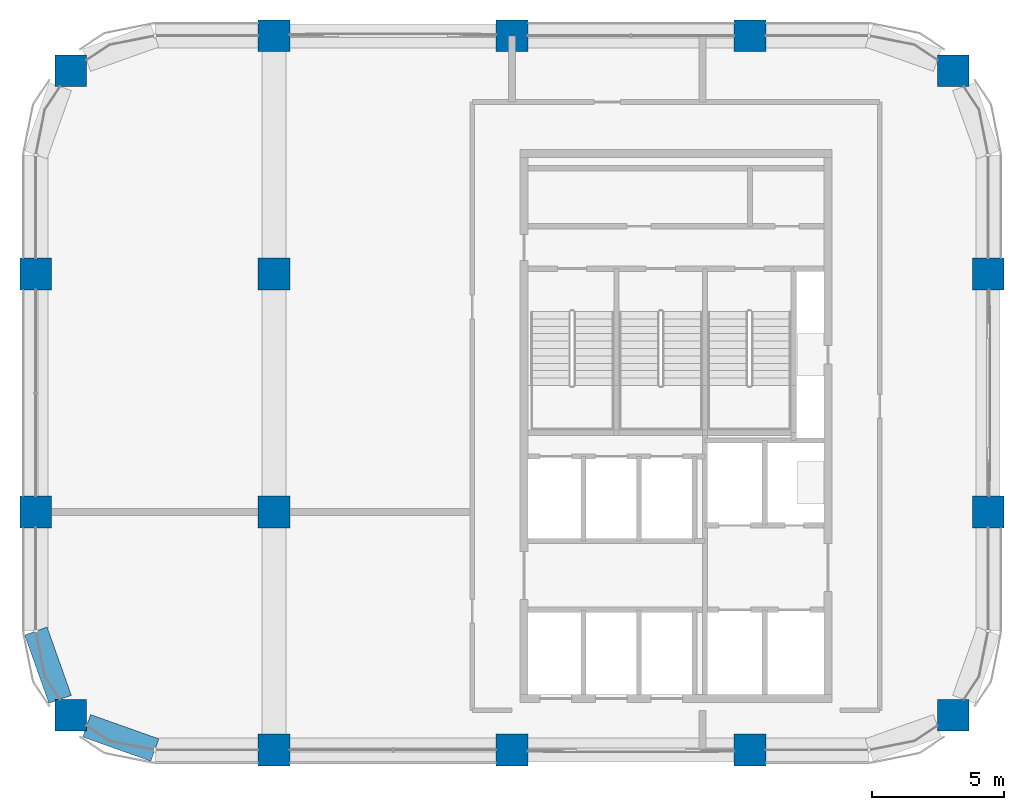
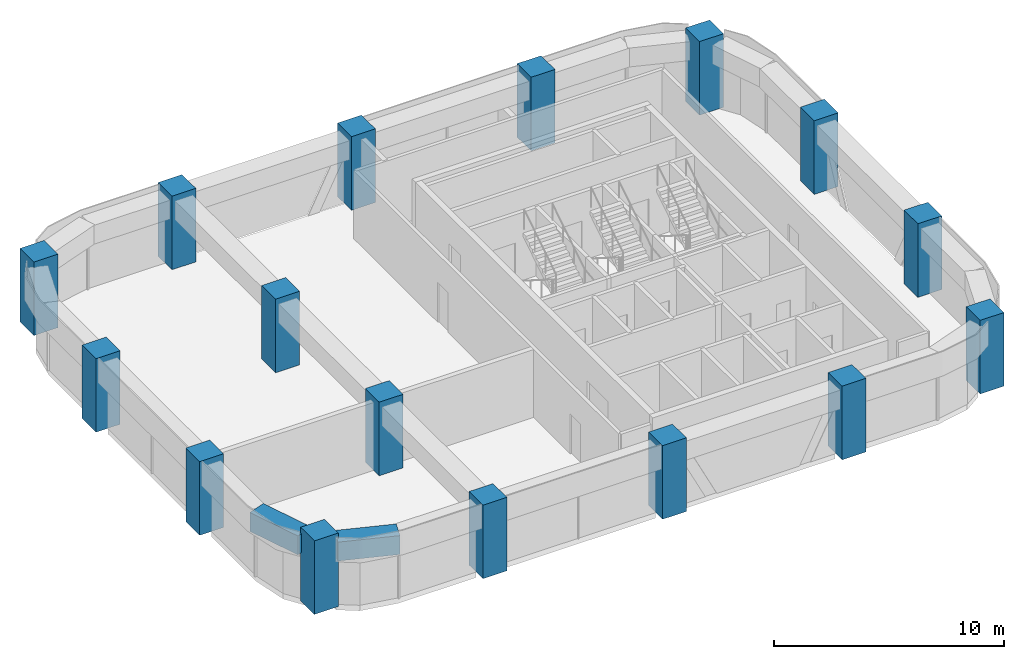
# One storey, part 1 of 9: 16 columns, 2 beams.
"""IFC4 building model written with IfcOpenShell, lengths in metres."""

from ifc_helpers import new_model, si_unit, direction, frame, origin, origin_2d, place, context, subcontext, project, spatial, rectangle, extrude, material, material_profile, profile_set, type_object, element, save


model = new_model("IFC4")

# Units and contexts
model_context = context("Model", 3, precision=1e-05, world=origin(), true_north=direction((0.0, 1.0)))
body_context = subcontext(model_context, "Body", "Model", "MODEL_VIEW")
ifc_project = project(units=[si_unit("LENGTHUNIT", "METRE"), si_unit("AREAUNIT", "SQUARE_METRE"), si_unit("VOLUMEUNIT", "CUBIC_METRE"), si_unit("PLANEANGLEUNIT", "RADIAN"), si_unit("MASSUNIT", "GRAM", prefix="KILO")], contexts=[model_context])

# Site, building, storey
site_placement = place(None, origin())
site = spatial("IfcSite", under=ifc_project, at=site_placement, CompositionType="ELEMENT")
building_placement = place(site_placement, origin())
building = spatial("IfcBuilding", under=site, at=building_placement, Name="Tessera Arch", CompositionType="ELEMENT")
storey_placement = place(building_placement, frame((0.0, 0.0, 312.89990234375)))
storey = spatial("IfcBuildingStorey", under=building, at=storey_placement, Name="L75", CompositionType="ELEMENT", Elevation=312.89990234375)

# Columns
ifc_material_1 = material(Name="Concrete C60/75", Category="concrete")
ifc_material_profile_1 = material_profile(ifc_material_1, rectangle(XDim=1.199951171875, YDim=1.199951171875, at=origin_2d()), Name="RC column 1200 x 1200 Concrete C60/75")
ifc_profile_set_1 = profile_set([ifc_material_profile_1], Name="Concrete C60/75")
column_type = type_object("IfcColumnType", Name="RC column 1200 x 1200 Concrete C60/75", PredefinedType="COLUMN", material=ifc_profile_set_1)
for number, where, z_axis, x_axis, name in (
    (1, (19.318115234375, 28.318115234375, 0.0), (0.0, 0.0, 1.0), (1.0, 0.0, 0.0), "Column C3D L75"),
    (2, (18.0, 36.0, 0.0), (0.0, 0.0, 1.0), (1.0, 0.0, 0.0), "Column C3E L75"),
    (3, (18.0, 45.0, 0.0), (0.0, 0.0, 1.0), (1.0, 0.0, 0.0), "Column C3F L75"),
    (4, (19.318115234375, 52.681884765625, 0.0), (0.0, 0.0, 1.0), (1.0, 0.0, 0.0), "Column C3G L75"),
    (5, (27.0, 27.0, 0.0), (0.0, 0.0, 1.0), (1.0, 0.0, 0.0), "Column C4D L75"),
    (6, (27.0, 36.0, 0.0), (0.0, 0.0, 1.0), (1.0, 0.0, 0.0), "Column C4E L75"),
    (7, (27.0, 45.0, 0.0), (0.0, 0.0, 1.0), (1.0, 0.0, 0.0), "Column C4F L75"),
    (8, (27.0, 54.0, 0.0), (0.0, 0.0, 1.0), (1.0, 0.0, 0.0), "Column C4G L75"),
    (9, (36.0, 27.0, 0.0), (0.0, 0.0, 1.0), (1.0, 0.0, 0.0), "Column C5D L75"),
    (10, (36.0, 54.0, 0.0), (0.0, 0.0, 1.0), (1.0, 0.0, 0.0), "Column C5G L75"),
    (11, (45.0, 27.0, 0.0), (0.0, 0.0, 1.0), (1.0, 0.0, 0.0), "Column C6D L75"),
    (12, (45.0, 54.0, 0.0), (0.0, 0.0, 1.0), (1.0, 0.0, 0.0), "Column C6G L75"),
    (13, (52.681884765625, 28.318115234375, 0.0), (0.0, 0.0, 1.0), (1.0, 0.0, 0.0), "Column C7D L75"),
    (14, (54.0, 36.0, 0.0), (0.0, 0.0, 1.0), (1.0, 0.0, 0.0), "Column C7E L75"),
    (15, (54.0, 45.0, 0.0), (0.0, 0.0, 1.0), (1.0, 0.0, 0.0), "Column C7F L75"),
    (16, (52.681884765625, 52.681884765625, 0.0), (0.0, 0.0, 1.0), (1.0, 0.0, 0.0), "Column C7G L75"),
):
    element("IfcColumn", number, at=place(storey_placement, frame(where, z_axis=z_axis, x_axis=x_axis)), inside=storey, type_object=column_type, Name=name, PredefinedType="COLUMN", context=body_context, shape_type="SweptSolid", body=[
        extrude(rectangle(XDim=1.199951171875, YDim=1.199951171875, at=origin_2d()), origin(), (0.0, 0.0, 1.0), 3.900146484375),
    ])

# Beams
ifc_material_2 = material(Name="Concrete C60/75", Category="concrete")
ifc_material_profile_2 = material_profile(ifc_material_2, rectangle(XDim=0.89990234375, YDim=1.0, at=origin_2d()), Name="RC spandrel beam 900 x 1000 Concrete C60/75")
ifc_profile_set_2 = profile_set([ifc_material_profile_2], Name="Concrete C60/75")
beam_type = type_object("IfcBeamType", Name="RC spandrel beam 900 x 1000 Concrete C60/75", PredefinedType="BEAM", material=ifc_profile_set_2)
for number, where, z_axis, x_axis, name in (
    (17, (18.0, 31.5, 3.10009765625), (0.334665114373, -0.942337127159, 0.0), (0.942337127159, 0.334665114373, 0.0), "Spandrel beam L75 W18.27/2.2"),
    (18, (19.91796875, 27.9169921875, 3.10009765625), (0.942337127159, -0.334665114373, 0.0), (0.334665114373, 0.942337127159, 0.0), "Spandrel beam L75 S27.18/0.1"),
):
    element("IfcBeam", number, at=place(storey_placement, frame(where, z_axis=z_axis, x_axis=x_axis)), inside=storey, type_object=beam_type, Name=name, PredefinedType="BEAM", context=body_context, shape_type="SweptSolid", body=[
        extrude(rectangle(XDim=0.89990234375, YDim=1.0, at=origin_2d()), origin(), (0.0, 0.0, 1.0), 2.739990234375),
    ])

save(model, "model.ifc")
